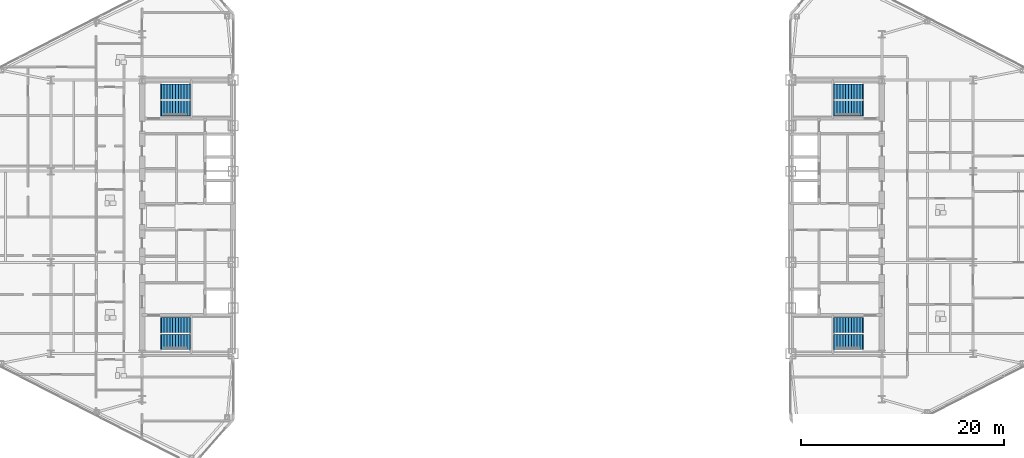
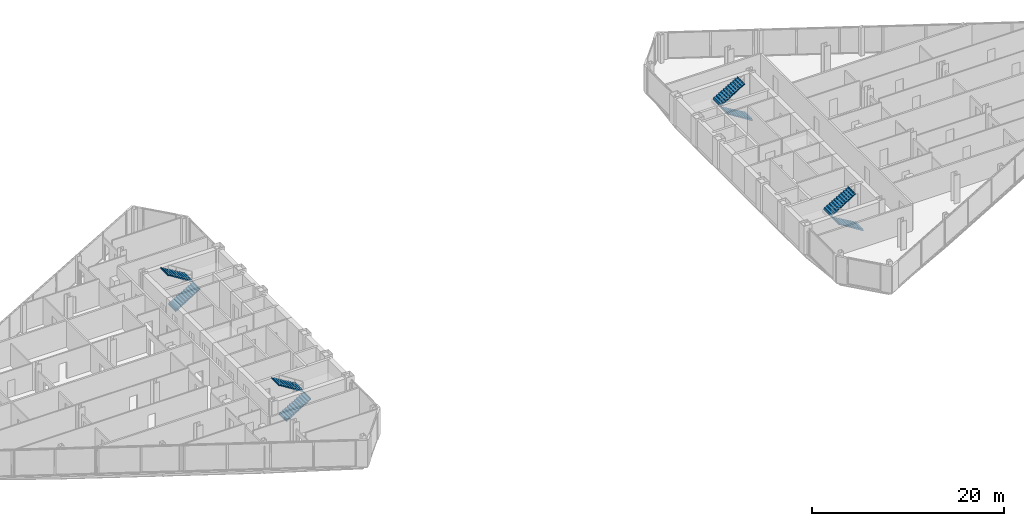
# One storey, part 21 of 23: 8 stair flights, 4 elements without a shape of their own.
"""IFC4 building model written with IfcOpenShell, lengths in metres."""

from ifc_helpers import new_model, si_unit, direction, frame, origin, place, context, subcontext, project, spatial, polyline, outline, extrude, material, type_object, element, aggregate, save


model = new_model("IFC4")

# Units and contexts
model_context = context("Model", 3, precision=1e-05, world=origin(), true_north=direction((0.0, 1.0)))
body_context = subcontext(model_context, "Body", "Model", "MODEL_VIEW")
ifc_project = project(units=[si_unit("LENGTHUNIT", "METRE"), si_unit("AREAUNIT", "SQUARE_METRE"), si_unit("VOLUMEUNIT", "CUBIC_METRE"), si_unit("PLANEANGLEUNIT", "RADIAN"), si_unit("MASSUNIT", "GRAM", prefix="KILO")], contexts=[model_context])

# Site, building, storey
site_placement = place(None, origin())
site = spatial("IfcSite", under=ifc_project, at=site_placement, CompositionType="ELEMENT")
building_placement = place(site_placement, origin())
building = spatial("IfcBuilding", under=site, at=building_placement, Name="Seokmaru Belvedere", CompositionType="ELEMENT")
storey_placement = place(building_placement, frame((0.0, 0.0, 147.60009765625)))
storey = spatial("IfcBuildingStorey", under=building, at=storey_placement, Name="L39", CompositionType="ELEMENT", Elevation=147.60009765625)

# Stair, stair flights
ifc_material = material(Name="Concrete C40 (40 MPa)", Category="concrete")
stair_type = type_object("IfcStairType", Name="Typical Tower Core Dog-Leg Stair 3600", PredefinedType="TWO_STRAIGHT_RUN_STAIR", material=ifc_material)
stair_1_placement = place(storey_placement, origin())
stair_1 = element("IfcStair", 1, at=stair_1_placement, inside=storey, type_object=stair_type, Name="L39 Special Escape Stair ST-W1", PredefinedType="TWO_STRAIGHT_RUN_STAIR")
stair_flight_type = type_object("IfcStairFlightType", Name="Reinforced Concrete Stair Flight 1500", PredefinedType="STRAIGHT", material=ifc_material)
stair_flight_1_placement = place(storey_placement, frame((-34.60009765625, -12.35009765625, 0.0), z_axis=(0.0, 0.0, 1.0), x_axis=(1.0, 0.0, 0.0)))
stair_flight_1 = element("IfcStairFlight", 2, at=stair_flight_1_placement, type_object=stair_flight_type, Name="ST-W1 flight 1", NumberOfRisers=11, NumberOfTreads=10, PredefinedType="STRAIGHT", RiserHeight=0.163636364, TreadLength=0.28, context=body_context, shape_type="SweptSolid", body=[
    extrude(outline(polyline([(-0.080078125, 0.0), (0.0, 0.16357421875), (0.280029296875, 0.16357421875), (0.280029296875, 0.327392578125), (0.56005859375, 0.327392578125), (0.56005859375, 0.490966796875), (0.840087890625, 0.490966796875), (0.840087890625, 0.654541015625), (1.1201171875, 0.654541015625), (1.1201171875, 0.818115234375), (1.39990234375, 0.818115234375), (1.39990234375, 0.98193359375), (1.679931640625, 0.98193359375), (1.679931640625, 1.1455078125), (1.9599609375, 1.1455078125), (1.9599609375, 1.30908203125), (2.239990234375, 1.30908203125), (2.239990234375, 1.47265625), (2.52001953125, 1.47265625), (2.52001953125, 1.636474609375), (2.800048828125, 1.636474609375), (2.800048828125, 1.800048828125), (2.8798828125, 1.800048828125), (2.8798828125, 1.610107421875), (2.800048828125, 1.610107421875), (0.0, -0.159912109375), (-0.080078125, -0.159912109375), (-0.080078125, 0.0)])), frame((0.0, 0.75, 0.0), z_axis=(0.0, -1.0, 0.0), x_axis=(1.0, 0.0, 0.0)), (0.0, 0.0, 1.0), 1.5),
])
stair_flight_2_placement = place(storey_placement, frame((-31.800048828125, -10.7099609375, 1.7998046875), z_axis=(0.0, 0.0, 1.0), x_axis=(-1.0, 0.0, 0.0)))
stair_flight_2 = element("IfcStairFlight", 3, at=stair_flight_2_placement, type_object=stair_flight_type, Name="ST-W1 flight 2", NumberOfRisers=11, NumberOfTreads=10, PredefinedType="STRAIGHT", RiserHeight=0.163636364, TreadLength=0.28, context=body_context, shape_type="SweptSolid", body=[
    extrude(outline(polyline([(-0.080078125, 0.0), (0.0, 0.16357421875), (0.280029296875, 0.16357421875), (0.280029296875, 0.327392578125), (0.56005859375, 0.327392578125), (0.56005859375, 0.490966796875), (0.840087890625, 0.490966796875), (0.840087890625, 0.654541015625), (1.1201171875, 0.654541015625), (1.1201171875, 0.818115234375), (1.39990234375, 0.818115234375), (1.39990234375, 0.98193359375), (1.679931640625, 0.98193359375), (1.679931640625, 1.1455078125), (1.9599609375, 1.1455078125), (1.9599609375, 1.30908203125), (2.239990234375, 1.30908203125), (2.239990234375, 1.47265625), (2.52001953125, 1.47265625), (2.52001953125, 1.636474609375), (2.800048828125, 1.636474609375), (2.800048828125, 1.800048828125), (2.8798828125, 1.800048828125), (2.8798828125, 1.610107421875), (2.800048828125, 1.610107421875), (0.0, -0.159912109375), (-0.080078125, -0.159912109375), (-0.080078125, 0.0)])), frame((0.0, 0.75, 0.0), z_axis=(0.0, -1.0, 0.0), x_axis=(1.0, 0.0, 0.0)), (0.0, 0.0, 1.0), 1.5),
])
aggregate(stair_1, [stair_flight_1, stair_flight_2])

stair_2_placement = place(storey_placement, origin())
stair_2 = element("IfcStair", 4, at=stair_2_placement, inside=storey, type_object=stair_type, Name="L39 Special Escape Stair ST-W2", PredefinedType="TWO_STRAIGHT_RUN_STAIR")
stair_flight_3_placement = place(storey_placement, frame((-34.60009765625, 10.7099609375, 0.0), z_axis=(0.0, 0.0, 1.0), x_axis=(1.0, 0.0, 0.0)))
stair_flight_3 = element("IfcStairFlight", 5, at=stair_flight_3_placement, type_object=stair_flight_type, Name="ST-W2 flight 1", NumberOfRisers=11, NumberOfTreads=10, PredefinedType="STRAIGHT", RiserHeight=0.163636364, TreadLength=0.28, context=body_context, shape_type="SweptSolid", body=[
    extrude(outline(polyline([(-0.080078125, 0.0), (0.0, 0.16357421875), (0.280029296875, 0.16357421875), (0.280029296875, 0.327392578125), (0.56005859375, 0.327392578125), (0.56005859375, 0.490966796875), (0.840087890625, 0.490966796875), (0.840087890625, 0.654541015625), (1.1201171875, 0.654541015625), (1.1201171875, 0.818115234375), (1.39990234375, 0.818115234375), (1.39990234375, 0.98193359375), (1.679931640625, 0.98193359375), (1.679931640625, 1.1455078125), (1.9599609375, 1.1455078125), (1.9599609375, 1.30908203125), (2.239990234375, 1.30908203125), (2.239990234375, 1.47265625), (2.52001953125, 1.47265625), (2.52001953125, 1.636474609375), (2.800048828125, 1.636474609375), (2.800048828125, 1.800048828125), (2.8798828125, 1.800048828125), (2.8798828125, 1.610107421875), (2.800048828125, 1.610107421875), (0.0, -0.159912109375), (-0.080078125, -0.159912109375), (-0.080078125, 0.0)])), frame((0.0, 0.75, 0.0), z_axis=(0.0, -1.0, 0.0), x_axis=(1.0, 0.0, 0.0)), (0.0, 0.0, 1.0), 1.5),
])
stair_flight_4_placement = place(storey_placement, frame((-31.800048828125, 12.35009765625, 1.7998046875), z_axis=(0.0, 0.0, 1.0), x_axis=(-1.0, 0.0, 0.0)))
stair_flight_4 = element("IfcStairFlight", 6, at=stair_flight_4_placement, type_object=stair_flight_type, Name="ST-W2 flight 2", NumberOfRisers=11, NumberOfTreads=10, PredefinedType="STRAIGHT", RiserHeight=0.163636364, TreadLength=0.28, context=body_context, shape_type="SweptSolid", body=[
    extrude(outline(polyline([(-0.080078125, 0.0), (0.0, 0.16357421875), (0.280029296875, 0.16357421875), (0.280029296875, 0.327392578125), (0.56005859375, 0.327392578125), (0.56005859375, 0.490966796875), (0.840087890625, 0.490966796875), (0.840087890625, 0.654541015625), (1.1201171875, 0.654541015625), (1.1201171875, 0.818115234375), (1.39990234375, 0.818115234375), (1.39990234375, 0.98193359375), (1.679931640625, 0.98193359375), (1.679931640625, 1.1455078125), (1.9599609375, 1.1455078125), (1.9599609375, 1.30908203125), (2.239990234375, 1.30908203125), (2.239990234375, 1.47265625), (2.52001953125, 1.47265625), (2.52001953125, 1.636474609375), (2.800048828125, 1.636474609375), (2.800048828125, 1.800048828125), (2.8798828125, 1.800048828125), (2.8798828125, 1.610107421875), (2.800048828125, 1.610107421875), (0.0, -0.159912109375), (-0.080078125, -0.159912109375), (-0.080078125, 0.0)])), frame((0.0, 0.75, 0.0), z_axis=(0.0, -1.0, 0.0), x_axis=(1.0, 0.0, 0.0)), (0.0, 0.0, 1.0), 1.5),
])
aggregate(stair_2, [stair_flight_3, stair_flight_4])

stair_3_placement = place(storey_placement, origin())
stair_3 = element("IfcStair", 7, at=stair_3_placement, inside=storey, type_object=stair_type, Name="L39 Special Escape Stair ST-E1", PredefinedType="TWO_STRAIGHT_RUN_STAIR")
stair_flight_5_placement = place(storey_placement, frame((34.60009765625, -12.35009765625, 0.0), z_axis=(0.0, 0.0, 1.0), x_axis=(-1.0, 0.0, 0.0)))
stair_flight_5 = element("IfcStairFlight", 8, at=stair_flight_5_placement, type_object=stair_flight_type, Name="ST-E1 flight 1", NumberOfRisers=11, NumberOfTreads=10, PredefinedType="STRAIGHT", RiserHeight=0.163636364, TreadLength=0.28, context=body_context, shape_type="SweptSolid", body=[
    extrude(outline(polyline([(-0.080078125, 0.0), (0.0, 0.16357421875), (0.280029296875, 0.16357421875), (0.280029296875, 0.327392578125), (0.56005859375, 0.327392578125), (0.56005859375, 0.490966796875), (0.840087890625, 0.490966796875), (0.840087890625, 0.654541015625), (1.1201171875, 0.654541015625), (1.1201171875, 0.818115234375), (1.39990234375, 0.818115234375), (1.39990234375, 0.98193359375), (1.679931640625, 0.98193359375), (1.679931640625, 1.1455078125), (1.9599609375, 1.1455078125), (1.9599609375, 1.30908203125), (2.239990234375, 1.30908203125), (2.239990234375, 1.47265625), (2.52001953125, 1.47265625), (2.52001953125, 1.636474609375), (2.800048828125, 1.636474609375), (2.800048828125, 1.800048828125), (2.8798828125, 1.800048828125), (2.8798828125, 1.610107421875), (2.800048828125, 1.610107421875), (0.0, -0.159912109375), (-0.080078125, -0.159912109375), (-0.080078125, 0.0)])), frame((0.0, 0.75, 0.0), z_axis=(0.0, -1.0, 0.0), x_axis=(1.0, 0.0, 0.0)), (0.0, 0.0, 1.0), 1.5),
])
stair_flight_6_placement = place(storey_placement, frame((31.800048828125, -10.7099609375, 1.7998046875), z_axis=(0.0, 0.0, 1.0), x_axis=(1.0, 0.0, 0.0)))
stair_flight_6 = element("IfcStairFlight", 9, at=stair_flight_6_placement, type_object=stair_flight_type, Name="ST-E1 flight 2", NumberOfRisers=11, NumberOfTreads=10, PredefinedType="STRAIGHT", RiserHeight=0.163636364, TreadLength=0.28, context=body_context, shape_type="SweptSolid", body=[
    extrude(outline(polyline([(-0.080078125, 0.0), (0.0, 0.16357421875), (0.280029296875, 0.16357421875), (0.280029296875, 0.327392578125), (0.56005859375, 0.327392578125), (0.56005859375, 0.490966796875), (0.840087890625, 0.490966796875), (0.840087890625, 0.654541015625), (1.1201171875, 0.654541015625), (1.1201171875, 0.818115234375), (1.39990234375, 0.818115234375), (1.39990234375, 0.98193359375), (1.679931640625, 0.98193359375), (1.679931640625, 1.1455078125), (1.9599609375, 1.1455078125), (1.9599609375, 1.30908203125), (2.239990234375, 1.30908203125), (2.239990234375, 1.47265625), (2.52001953125, 1.47265625), (2.52001953125, 1.636474609375), (2.800048828125, 1.636474609375), (2.800048828125, 1.800048828125), (2.8798828125, 1.800048828125), (2.8798828125, 1.610107421875), (2.800048828125, 1.610107421875), (0.0, -0.159912109375), (-0.080078125, -0.159912109375), (-0.080078125, 0.0)])), frame((0.0, 0.75, 0.0), z_axis=(0.0, -1.0, 0.0), x_axis=(1.0, 0.0, 0.0)), (0.0, 0.0, 1.0), 1.5),
])
aggregate(stair_3, [stair_flight_5, stair_flight_6])

stair_4_placement = place(storey_placement, origin())
stair_4 = element("IfcStair", 10, at=stair_4_placement, inside=storey, type_object=stair_type, Name="L39 Special Escape Stair ST-E2", PredefinedType="TWO_STRAIGHT_RUN_STAIR")
stair_flight_7_placement = place(storey_placement, frame((34.60009765625, 10.7099609375, 0.0), z_axis=(0.0, 0.0, 1.0), x_axis=(-1.0, 0.0, 0.0)))
stair_flight_7 = element("IfcStairFlight", 11, at=stair_flight_7_placement, type_object=stair_flight_type, Name="ST-E2 flight 1", NumberOfRisers=11, NumberOfTreads=10, PredefinedType="STRAIGHT", RiserHeight=0.163636364, TreadLength=0.28, context=body_context, shape_type="SweptSolid", body=[
    extrude(outline(polyline([(-0.080078125, 0.0), (0.0, 0.16357421875), (0.280029296875, 0.16357421875), (0.280029296875, 0.327392578125), (0.56005859375, 0.327392578125), (0.56005859375, 0.490966796875), (0.840087890625, 0.490966796875), (0.840087890625, 0.654541015625), (1.1201171875, 0.654541015625), (1.1201171875, 0.818115234375), (1.39990234375, 0.818115234375), (1.39990234375, 0.98193359375), (1.679931640625, 0.98193359375), (1.679931640625, 1.1455078125), (1.9599609375, 1.1455078125), (1.9599609375, 1.30908203125), (2.239990234375, 1.30908203125), (2.239990234375, 1.47265625), (2.52001953125, 1.47265625), (2.52001953125, 1.636474609375), (2.800048828125, 1.636474609375), (2.800048828125, 1.800048828125), (2.8798828125, 1.800048828125), (2.8798828125, 1.610107421875), (2.800048828125, 1.610107421875), (0.0, -0.159912109375), (-0.080078125, -0.159912109375), (-0.080078125, 0.0)])), frame((0.0, 0.75, 0.0), z_axis=(0.0, -1.0, 0.0), x_axis=(1.0, 0.0, 0.0)), (0.0, 0.0, 1.0), 1.5),
])
stair_flight_8_placement = place(storey_placement, frame((31.800048828125, 12.35009765625, 1.7998046875), z_axis=(0.0, 0.0, 1.0), x_axis=(1.0, 0.0, 0.0)))
stair_flight_8 = element("IfcStairFlight", 12, at=stair_flight_8_placement, type_object=stair_flight_type, Name="ST-E2 flight 2", NumberOfRisers=11, NumberOfTreads=10, PredefinedType="STRAIGHT", RiserHeight=0.163636364, TreadLength=0.28, context=body_context, shape_type="SweptSolid", body=[
    extrude(outline(polyline([(-0.080078125, 0.0), (0.0, 0.16357421875), (0.280029296875, 0.16357421875), (0.280029296875, 0.327392578125), (0.56005859375, 0.327392578125), (0.56005859375, 0.490966796875), (0.840087890625, 0.490966796875), (0.840087890625, 0.654541015625), (1.1201171875, 0.654541015625), (1.1201171875, 0.818115234375), (1.39990234375, 0.818115234375), (1.39990234375, 0.98193359375), (1.679931640625, 0.98193359375), (1.679931640625, 1.1455078125), (1.9599609375, 1.1455078125), (1.9599609375, 1.30908203125), (2.239990234375, 1.30908203125), (2.239990234375, 1.47265625), (2.52001953125, 1.47265625), (2.52001953125, 1.636474609375), (2.800048828125, 1.636474609375), (2.800048828125, 1.800048828125), (2.8798828125, 1.800048828125), (2.8798828125, 1.610107421875), (2.800048828125, 1.610107421875), (0.0, -0.159912109375), (-0.080078125, -0.159912109375), (-0.080078125, 0.0)])), frame((0.0, 0.75, 0.0), z_axis=(0.0, -1.0, 0.0), x_axis=(1.0, 0.0, 0.0)), (0.0, 0.0, 1.0), 1.5),
])
aggregate(stair_4, [stair_flight_7, stair_flight_8])

save(model, "model.ifc")
